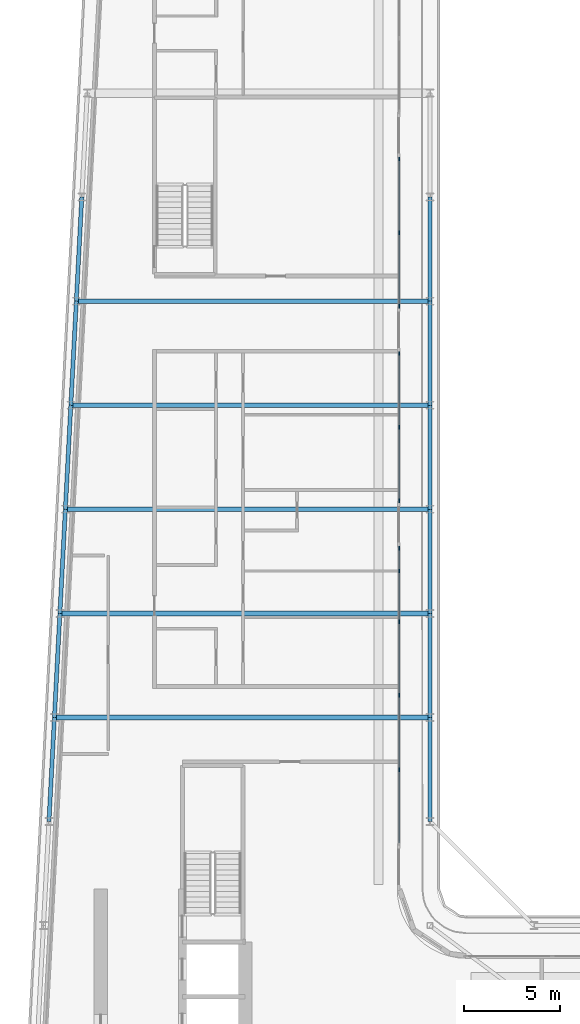
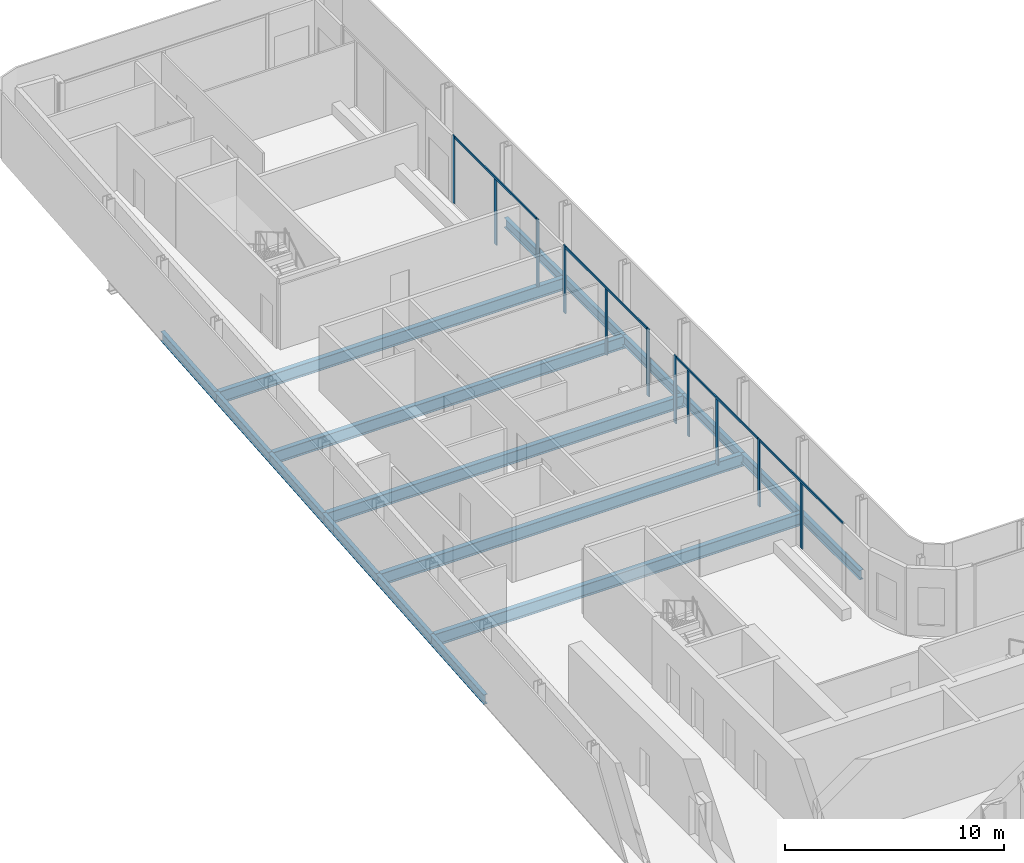
# One storey, part 6 of 22: 17 beams, 15 members, 4 elements without a shape of their own.
"""IFC4 building model written with IfcOpenShell, lengths in metres."""

from ifc_helpers import new_model, si_unit, direction, frame, origin, origin_2d, place, context, subcontext, project, spatial, rectangle, i_section, extrude, material, layer, layer_set, material_profile, profile_set, type_object, element, aggregate, save


model = new_model("IFC4")

# Units and contexts
model_context = context("Model", 3, precision=1e-05, world=origin(), true_north=direction((0.0, 1.0)))
body_context = subcontext(model_context, "Body", "Model", "MODEL_VIEW")
ifc_project = project(units=[si_unit("LENGTHUNIT", "METRE"), si_unit("AREAUNIT", "SQUARE_METRE"), si_unit("VOLUMEUNIT", "CUBIC_METRE"), si_unit("PLANEANGLEUNIT", "RADIAN"), si_unit("MASSUNIT", "GRAM", prefix="KILO")], contexts=[model_context])

# Site, building, storey
site_placement = place(None, origin())
site = spatial("IfcSite", under=ifc_project, at=site_placement, CompositionType="ELEMENT")
building_placement = place(site_placement, origin())
building = spatial("IfcBuilding", under=site, at=building_placement, Name="Kheshtan School and Residences Tower", CompositionType="ELEMENT")
storey_placement = place(building_placement, frame((0.0, 0.0, 263.0)))
storey = spatial("IfcBuildingStorey", under=building, at=storey_placement, Name="L62", CompositionType="ELEMENT", Elevation=263.0)

# Beams
ifc_material_1 = material(Name="Steel ASTM A992 Grade 50", Category="steel")
ifc_material_profile_1 = material_profile(ifc_material_1, i_section(OverallWidth=0.2529296875, OverallDepth=0.677978515625, WebThickness=0.01171875, FlangeThickness=0.016357421875, FilletRadius=0.0146484375, at=origin_2d()), Name="W690x125")
ifc_profile_set_1 = profile_set([ifc_material_profile_1], Name="Steel ASTM A992 Grade 50")
beam_type_1 = type_object("IfcBeamType", Name="Beam FB6 W690x125 ASTM A992 Grade 50", PredefinedType="BEAM", material=ifc_profile_set_1)
beam_1_placement = place(storey_placement, frame((47.60009765625, 78.0, -0.489013671875), z_axis=(-1.0, 0.0, 0.0), x_axis=(0.0, -1.0, 0.0)))
element("IfcBeam", 1, at=beam_1_placement, inside=storey, type_object=beam_type_1, Name="Floor beam C089", PredefinedType="BEAM", context=body_context, shape_type="SweptSolid", body=[
    extrude(i_section(OverallWidth=0.2529296875, OverallDepth=0.677978515625, WebThickness=0.01171875, FlangeThickness=0.016357421875, FilletRadius=0.0146484375, at=origin_2d()), origin(), (0.0, 0.0, 1.0), 18.357177734375),
])
beam_2_placement = place(storey_placement, frame((47.60009765625, 67.199951171875, -0.489013671875), z_axis=(-1.0, 0.0, 0.0), x_axis=(0.0, -1.0, 0.0)))
element("IfcBeam", 2, at=beam_2_placement, inside=storey, type_object=beam_type_1, Name="Floor beam C085", PredefinedType="BEAM", context=body_context, shape_type="SweptSolid", body=[
    extrude(i_section(OverallWidth=0.2529296875, OverallDepth=0.677978515625, WebThickness=0.01171875, FlangeThickness=0.016357421875, FilletRadius=0.0146484375, at=origin_2d()), origin(), (0.0, 0.0, 1.0), 18.926025390625),
])
beam_3_placement = place(storey_placement, frame((47.60009765625, 56.39990234375, -0.489013671875), z_axis=(-1.0, 0.0, 0.0), x_axis=(0.0, -1.0, 0.0)))
element("IfcBeam", 3, at=beam_3_placement, inside=storey, type_object=beam_type_1, Name="Floor beam C081", PredefinedType="BEAM", context=body_context, shape_type="SweptSolid", body=[
    extrude(i_section(OverallWidth=0.2529296875, OverallDepth=0.677978515625, WebThickness=0.01171875, FlangeThickness=0.016357421875, FilletRadius=0.0146484375, at=origin_2d()), origin(), (0.0, 0.0, 1.0), 19.494140625),
])
beam_4_placement = place(storey_placement, frame((28.389892578125, 61.800048828125, -0.489013671875), z_axis=(1.0, 0.0, 0.0), x_axis=(0.0, 1.0, 0.0)))
element("IfcBeam", 4, at=beam_4_placement, inside=storey, type_object=beam_type_1, Name="Floor beam C082", PredefinedType="BEAM", context=body_context, shape_type="SweptSolid", body=[
    extrude(i_section(OverallWidth=0.2529296875, OverallDepth=0.677978515625, WebThickness=0.01171875, FlangeThickness=0.016357421875, FilletRadius=0.0146484375, at=origin_2d()), origin(), (0.0, 0.0, 1.0), 19.210205078125),
])
beam_5_placement = place(storey_placement, frame((28.9580078125, 72.60009765625, -0.489013671875), z_axis=(1.0, 0.0, 0.0), x_axis=(0.0, 1.0, 0.0)))
element("IfcBeam", 5, at=beam_5_placement, inside=storey, type_object=beam_type_1, Name="Floor beam C086", PredefinedType="BEAM", context=body_context, shape_type="SweptSolid", body=[
    extrude(i_section(OverallWidth=0.2529296875, OverallDepth=0.677978515625, WebThickness=0.01171875, FlangeThickness=0.016357421875, FilletRadius=0.0146484375, at=origin_2d()), origin(), (0.0, 0.0, 1.0), 18.64208984375),
])
ifc_material_profile_2 = material_profile(ifc_material_1, i_section(OverallWidth=0.208984375, OverallDepth=0.532958984375, WebThickness=0.01025390625, FlangeThickness=0.015625, FilletRadius=0.013916015625, at=origin_2d()), Name="W530x92")
ifc_profile_set_2 = profile_set([ifc_material_profile_2], Name="Steel ASTM A992 Grade 50")
beam_type_2 = type_object("IfcBeamType", Name="Beam SP3 W530x92 ASTM A992 Grade 50", PredefinedType="BEAM", material=ifc_profile_set_2)
for number, where, z_axis, x_axis, name in (
    (6, (47.60009765625, 83.39990234375, -0.41650390625), (0.0, -1.0, 0.0), (1.0, 0.0, 0.0), "Spandrel beam C091-C089"),
    (7, (47.60009765625, 78.0, -0.41650390625), (0.0, -1.0, 0.0), (1.0, 0.0, 0.0), "Spandrel beam C089-C087"),
):
    element("IfcBeam", number, at=place(storey_placement, frame(where, z_axis=z_axis, x_axis=x_axis)), inside=storey, type_object=beam_type_2, Name=name, PredefinedType="BEAM", context=body_context, shape_type="SweptSolid", body=[
        extrude(i_section(OverallWidth=0.208984375, OverallDepth=0.532958984375, WebThickness=0.01025390625, FlangeThickness=0.015625, FilletRadius=0.013916015625, at=origin_2d()), origin(), (0.0, 0.0, 1.0), 5.39990234375),
    ])
beam_6_placement = place(storey_placement, frame((47.60009765625, 72.60009765625, -0.41650390625), z_axis=(0.0, -1.0, 0.0), x_axis=(1.0, 0.0, 0.0)))
element("IfcBeam", 8, at=beam_6_placement, inside=storey, type_object=beam_type_2, Name="Spandrel beam C087-C085", PredefinedType="BEAM", context=body_context, shape_type="SweptSolid", body=[
    extrude(i_section(OverallWidth=0.208984375, OverallDepth=0.532958984375, WebThickness=0.01025390625, FlangeThickness=0.015625, FilletRadius=0.013916015625, at=origin_2d()), origin(), (0.0, 0.0, 1.0), 5.400146484375),
])
beam_7_placement = place(storey_placement, frame((47.60009765625, 67.199951171875, -0.41650390625), z_axis=(0.0, -1.0, 0.0), x_axis=(1.0, 0.0, 0.0)))
element("IfcBeam", 9, at=beam_7_placement, inside=storey, type_object=beam_type_2, Name="Spandrel beam C085-C083", PredefinedType="BEAM", context=body_context, shape_type="SweptSolid", body=[
    extrude(i_section(OverallWidth=0.208984375, OverallDepth=0.532958984375, WebThickness=0.01025390625, FlangeThickness=0.015625, FilletRadius=0.013916015625, at=origin_2d()), origin(), (0.0, 0.0, 1.0), 5.39990234375),
])
beam_8_placement = place(storey_placement, frame((47.60009765625, 61.800048828125, -0.41650390625), z_axis=(0.0, -1.0, 0.0), x_axis=(1.0, 0.0, 0.0)))
element("IfcBeam", 10, at=beam_8_placement, inside=storey, type_object=beam_type_2, Name="Spandrel beam C083-C081", PredefinedType="BEAM", context=body_context, shape_type="SweptSolid", body=[
    extrude(i_section(OverallWidth=0.208984375, OverallDepth=0.532958984375, WebThickness=0.01025390625, FlangeThickness=0.015625, FilletRadius=0.013916015625, at=origin_2d()), origin(), (0.0, 0.0, 1.0), 5.400146484375),
])
beam_9_placement = place(storey_placement, frame((47.60009765625, 56.39990234375, -0.41650390625), z_axis=(0.0, -1.0, 0.0), x_axis=(1.0, 0.0, 0.0)))
element("IfcBeam", 11, at=beam_9_placement, inside=storey, type_object=beam_type_2, Name="Spandrel beam C081-C079", PredefinedType="BEAM", context=body_context, shape_type="SweptSolid", body=[
    extrude(i_section(OverallWidth=0.208984375, OverallDepth=0.532958984375, WebThickness=0.01025390625, FlangeThickness=0.015625, FilletRadius=0.013916015625, at=origin_2d()), origin(), (0.0, 0.0, 1.0), 5.39990234375),
])
beam_10_placement = place(storey_placement, frame((27.822021484375, 51.0, -0.41650390625), z_axis=(0.05250906864, 0.998620447272, 0.0), x_axis=(-0.998620447272, 0.05250906864, 0.0)))
element("IfcBeam", 12, at=beam_10_placement, inside=storey, type_object=beam_type_2, Name="Spandrel beam C078-C080", PredefinedType="BEAM", context=body_context, shape_type="SweptSolid", body=[
    extrude(i_section(OverallWidth=0.208984375, OverallDepth=0.532958984375, WebThickness=0.01025390625, FlangeThickness=0.015625, FilletRadius=0.013916015625, at=origin_2d()), origin(), (0.0, 0.0, 1.0), 5.407470703125),
])
beam_11_placement = place(storey_placement, frame((28.10595703125, 56.39990234375, -0.41650390625), z_axis=(0.05250670125, 0.998620571751, 0.0), x_axis=(-0.998620571751, 0.05250670125, 0.0)))
element("IfcBeam", 13, at=beam_11_placement, inside=storey, type_object=beam_type_2, Name="Spandrel beam C080-C082", PredefinedType="BEAM", context=body_context, shape_type="SweptSolid", body=[
    extrude(i_section(OverallWidth=0.208984375, OverallDepth=0.532958984375, WebThickness=0.01025390625, FlangeThickness=0.015625, FilletRadius=0.013916015625, at=origin_2d()), origin(), (0.0, 0.0, 1.0), 5.40771484375),
])
beam_12_placement = place(storey_placement, frame((28.389892578125, 61.800048828125, -0.41650390625), z_axis=(0.052554093665, 0.998618078766, 0.0), x_axis=(-0.998618078766, 0.052554093665, 0.0)))
element("IfcBeam", 14, at=beam_12_placement, inside=storey, type_object=beam_type_2, Name="Spandrel beam C082-C084", PredefinedType="BEAM", context=body_context, shape_type="SweptSolid", body=[
    extrude(i_section(OverallWidth=0.208984375, OverallDepth=0.532958984375, WebThickness=0.01025390625, FlangeThickness=0.015625, FilletRadius=0.013916015625, at=origin_2d()), origin(), (0.0, 0.0, 1.0), 5.407470703125),
])
beam_13_placement = place(storey_placement, frame((28.674072265625, 67.199951171875, -0.41650390625), z_axis=(0.05250670125, 0.998620571751, 0.0), x_axis=(-0.998620571751, 0.05250670125, 0.0)))
element("IfcBeam", 15, at=beam_13_placement, inside=storey, type_object=beam_type_2, Name="Spandrel beam C084-C086", PredefinedType="BEAM", context=body_context, shape_type="SweptSolid", body=[
    extrude(i_section(OverallWidth=0.208984375, OverallDepth=0.532958984375, WebThickness=0.01025390625, FlangeThickness=0.015625, FilletRadius=0.013916015625, at=origin_2d()), origin(), (0.0, 0.0, 1.0), 5.40771484375),
])
for number, where, z_axis, x_axis, name in (
    (16, (28.9580078125, 72.60009765625, -0.41650390625), (0.052689166816, 0.998610961136, 0.0), (-0.998610961136, 0.052689166816, 0.0), "Spandrel beam C086-C088"),
    (17, (29.242919921875, 78.0, -0.41650390625), (0.052554093665, 0.998618078766, 0.0), (-0.998618078766, 0.052554093665, 0.0), "Spandrel beam C088-C090"),
):
    element("IfcBeam", number, at=place(storey_placement, frame(where, z_axis=z_axis, x_axis=x_axis)), inside=storey, type_object=beam_type_2, Name=name, PredefinedType="BEAM", context=body_context, shape_type="SweptSolid", body=[
        extrude(i_section(OverallWidth=0.208984375, OverallDepth=0.532958984375, WebThickness=0.01025390625, FlangeThickness=0.015625, FilletRadius=0.013916015625, at=origin_2d()), origin(), (0.0, 0.0, 1.0), 5.407470703125),
    ])

# Curtain wall, members
ifc_material_2 = material(Name="Clear low-e glass in thermally broken aluminium frame", Category="aluminium")
ifc_layer = layer(ifc_material_2, 0.199951171875)
ifc_layer_set = layer_set([ifc_layer], Name="Curtain wall CW-L")
curtain_wall_type = type_object("IfcCurtainWallType", Name="Curtain wall CW-L", PredefinedType="NOTDEFINED", material=ifc_layer_set)
curtain_wall_1_placement = place(storey_placement, origin())
curtain_wall_1 = element("IfcCurtainWall", 18, at=curtain_wall_1_placement, inside=storey, type_object=curtain_wall_type, Name="Curtain wall CWL8", PredefinedType="NOTDEFINED")
ifc_material_3 = material(Name="Thermally broken aluminium, dark bronze anodised", Category="aluminium")
ifc_material_profile_3 = material_profile(ifc_material_3, rectangle(XDim=0.06005859375, YDim=0.199951171875, at=origin_2d()), Name="CW-L mullion 60x200")
ifc_profile_set_3 = profile_set([ifc_material_profile_3], Name="Thermally broken aluminium, dark bronze anodised")
member_type_1 = type_object("IfcMemberType", Name="CW-L mullion 60x200", PredefinedType="MULLION", material=ifc_profile_set_3)
member_1_placement = place(storey_placement, frame((46.0, 85.3759765625, 0.0), z_axis=(0.0, 0.0, 1.0), x_axis=(1.0, 0.0, 0.0)))
member_1 = element("IfcMember", 19, at=member_1_placement, type_object=member_type_1, Name="CWL8 mullion 1", PredefinedType="MULLION", context=body_context, shape_type="SweptSolid", body=[
    extrude(rectangle(XDim=0.06005859375, YDim=0.199951171875, at=origin_2d()), origin(), (0.0, 0.0, 1.0), 3.75),
])
member_2_placement = place(storey_placement, frame((46.0, 81.55908203125, 0.0), z_axis=(0.0, 0.0, 1.0), x_axis=(1.0, 0.0, 0.0)))
member_2 = element("IfcMember", 20, at=member_2_placement, type_object=member_type_1, Name="CWL8 mullion 2", PredefinedType="MULLION", context=body_context, shape_type="SweptSolid", body=[
    extrude(rectangle(XDim=0.06005859375, YDim=0.199951171875, at=origin_2d()), origin(), (0.0, 0.0, 1.0), 3.6298828125),
])
member_3_placement = place(storey_placement, frame((46.0, 77.741943359375, 0.0), z_axis=(0.0, 0.0, 1.0), x_axis=(1.0, 0.0, 0.0)))
member_3 = element("IfcMember", 21, at=member_3_placement, type_object=member_type_1, Name="CWL8 mullion 3", PredefinedType="MULLION", context=body_context, shape_type="SweptSolid", body=[
    extrude(rectangle(XDim=0.06005859375, YDim=0.199951171875, at=origin_2d()), origin(), (0.0, 0.0, 1.0), 3.75),
])

curtain_wall_2_placement = place(storey_placement, origin())
curtain_wall_2 = element("IfcCurtainWall", 22, at=curtain_wall_2_placement, inside=storey, type_object=curtain_wall_type, Name="Curtain wall CWL8", PredefinedType="NOTDEFINED")
member_4_placement = place(storey_placement, frame((46.0, 75.281982421875, 0.0), z_axis=(0.0, 0.0, 1.0), x_axis=(1.0, 0.0, 0.0)))
member_4 = element("IfcMember", 23, at=member_4_placement, type_object=member_type_1, Name="CWL8 mullion 1", PredefinedType="MULLION", context=body_context, shape_type="SweptSolid", body=[
    extrude(rectangle(XDim=0.06005859375, YDim=0.199951171875, at=origin_2d()), origin(), (0.0, 0.0, 1.0), 3.75),
])
member_5_placement = place(storey_placement, frame((46.0, 71.465087890625, 0.0), z_axis=(0.0, 0.0, 1.0), x_axis=(1.0, 0.0, 0.0)))
member_5 = element("IfcMember", 24, at=member_5_placement, type_object=member_type_1, Name="CWL8 mullion 2", PredefinedType="MULLION", context=body_context, shape_type="SweptSolid", body=[
    extrude(rectangle(XDim=0.06005859375, YDim=0.199951171875, at=origin_2d()), origin(), (0.0, 0.0, 1.0), 3.6298828125),
])
member_6_placement = place(storey_placement, frame((46.0, 67.64794921875, 0.0), z_axis=(0.0, 0.0, 1.0), x_axis=(1.0, 0.0, 0.0)))
member_6 = element("IfcMember", 25, at=member_6_placement, type_object=member_type_1, Name="CWL8 mullion 3", PredefinedType="MULLION", context=body_context, shape_type="SweptSolid", body=[
    extrude(rectangle(XDim=0.06005859375, YDim=0.199951171875, at=origin_2d()), origin(), (0.0, 0.0, 1.0), 3.75),
])

curtain_wall_3_placement = place(storey_placement, origin())
curtain_wall_3 = element("IfcCurtainWall", 26, at=curtain_wall_3_placement, inside=storey, type_object=curtain_wall_type, Name="Curtain wall CWL8c", PredefinedType="NOTDEFINED")
member_7_placement = place(storey_placement, frame((46.0, 65.18798828125, 0.0), z_axis=(0.0, 0.0, 1.0), x_axis=(1.0, 0.0, 0.0)))
member_7 = element("IfcMember", 27, at=member_7_placement, type_object=member_type_1, Name="CWL8c mullion 1", PredefinedType="MULLION", context=body_context, shape_type="SweptSolid", body=[
    extrude(rectangle(XDim=0.06005859375, YDim=0.199951171875, at=origin_2d()), origin(), (0.0, 0.0, 1.0), 3.75),
])
member_8_placement = place(storey_placement, frame((46.0, 64.0, 0.0), z_axis=(0.0, 0.0, 1.0), x_axis=(1.0, 0.0, 0.0)))
member_8 = element("IfcMember", 28, at=member_8_placement, type_object=member_type_1, Name="CWL8c mullion 2", PredefinedType="MULLION", context=body_context, shape_type="SweptSolid", body=[
    extrude(rectangle(XDim=0.06005859375, YDim=0.199951171875, at=origin_2d()), origin(), (0.0, 0.0, 1.0), 3.6298828125),
])
member_9_placement = place(storey_placement, frame((46.0, 61.37109375, 0.0), z_axis=(0.0, 0.0, 1.0), x_axis=(1.0, 0.0, 0.0)))
member_9 = element("IfcMember", 29, at=member_9_placement, type_object=member_type_1, Name="CWL8c mullion 3", PredefinedType="MULLION", context=body_context, shape_type="SweptSolid", body=[
    extrude(rectangle(XDim=0.06005859375, YDim=0.199951171875, at=origin_2d()), origin(), (0.0, 0.0, 1.0), 3.6298828125),
])
member_10_placement = place(storey_placement, frame((46.0, 57.553955078125, 0.0), z_axis=(0.0, 0.0, 1.0), x_axis=(1.0, 0.0, 0.0)))
member_10 = element("IfcMember", 30, at=member_10_placement, type_object=member_type_1, Name="CWL8c mullion 4", PredefinedType="MULLION", context=body_context, shape_type="SweptSolid", body=[
    extrude(rectangle(XDim=0.06005859375, YDim=0.199951171875, at=origin_2d()), origin(), (0.0, 0.0, 1.0), 3.75),
])

# Curtain wall, member
curtain_wall_4_placement = place(storey_placement, origin())
curtain_wall_4 = element("IfcCurtainWall", 31, at=curtain_wall_4_placement, inside=storey, type_object=curtain_wall_type, Name="Curtain wall CWL8", PredefinedType="NOTDEFINED")
member_11_placement = place(storey_placement, frame((46.0, 53.677001953125, 0.0), z_axis=(0.0, 0.0, 1.0), x_axis=(1.0, 0.0, 0.0)))
member_11 = element("IfcMember", 32, at=member_11_placement, type_object=member_type_1, Name="CWL8 mullion 2", PredefinedType="MULLION", context=body_context, shape_type="SweptSolid", body=[
    extrude(rectangle(XDim=0.06005859375, YDim=0.199951171875, at=origin_2d()), origin(), (0.0, 0.0, 1.0), 3.6298828125),
])

# Member
ifc_material_profile_4 = material_profile(ifc_material_3, rectangle(XDim=0.06005859375, YDim=0.1201171875, at=origin_2d()), Name="CW-L transom 60x120")
ifc_profile_set_4 = profile_set([ifc_material_profile_4], Name="Thermally broken aluminium, dark bronze anodised")
member_type_2 = type_object("IfcMemberType", Name="CW-L transom 60x120", PredefinedType="USERDEFINED", material=ifc_profile_set_4)
member_12_placement = place(storey_placement, frame((46.0, 85.345947265625, 3.68994140625), z_axis=(0.0, -1.0, 0.0), x_axis=(1.0, 0.0, 0.0)))
member_12 = element("IfcMember", 33, at=member_12_placement, type_object=member_type_2, Name="CWL8 transom 1", ObjectType="TRANSOM", PredefinedType="USERDEFINED", context=body_context, shape_type="SweptSolid", body=[
    extrude(rectangle(XDim=0.06005859375, YDim=0.1201171875, at=origin_2d()), origin(), (0.0, 0.0, 1.0), 7.573974609375),
])

aggregate(curtain_wall_1, [member_1, member_2, member_3, member_12])

member_13_placement = place(storey_placement, frame((46.0, 75.251953125, 3.68994140625), z_axis=(0.0, -1.0, 0.0), x_axis=(1.0, 0.0, 0.0)))
member_13 = element("IfcMember", 34, at=member_13_placement, type_object=member_type_2, Name="CWL8 transom 1", ObjectType="TRANSOM", PredefinedType="USERDEFINED", context=body_context, shape_type="SweptSolid", body=[
    extrude(rectangle(XDim=0.06005859375, YDim=0.1201171875, at=origin_2d()), origin(), (0.0, 0.0, 1.0), 7.573974609375),
])

aggregate(curtain_wall_2, [member_4, member_5, member_6, member_13])

member_14_placement = place(storey_placement, frame((46.0, 65.157958984375, 3.68994140625), z_axis=(0.0, -1.0, 0.0), x_axis=(1.0, 0.0, 0.0)))
member_14 = element("IfcMember", 35, at=member_14_placement, type_object=member_type_2, Name="CWL8c transom 1", ObjectType="TRANSOM", PredefinedType="USERDEFINED", context=body_context, shape_type="SweptSolid", body=[
    extrude(rectangle(XDim=0.06005859375, YDim=0.1201171875, at=origin_2d()), origin(), (0.0, 0.0, 1.0), 7.573974609375),
])

aggregate(curtain_wall_3, [member_7, member_8, member_9, member_10, member_14])

member_15_placement = place(storey_placement, frame((46.0, 57.52392578125, 3.68994140625), z_axis=(0.0, -1.0, 0.0), x_axis=(1.0, 0.0, 0.0)))
member_15 = element("IfcMember", 36, at=member_15_placement, type_object=member_type_2, Name="CWL8 transom 1", ObjectType="TRANSOM", PredefinedType="USERDEFINED", context=body_context, shape_type="SweptSolid", body=[
    extrude(rectangle(XDim=0.06005859375, YDim=0.1201171875, at=origin_2d()), origin(), (0.0, 0.0, 1.0), 7.634033203125),
])

aggregate(curtain_wall_4, [member_11, member_15])

save(model, "model.ifc")
